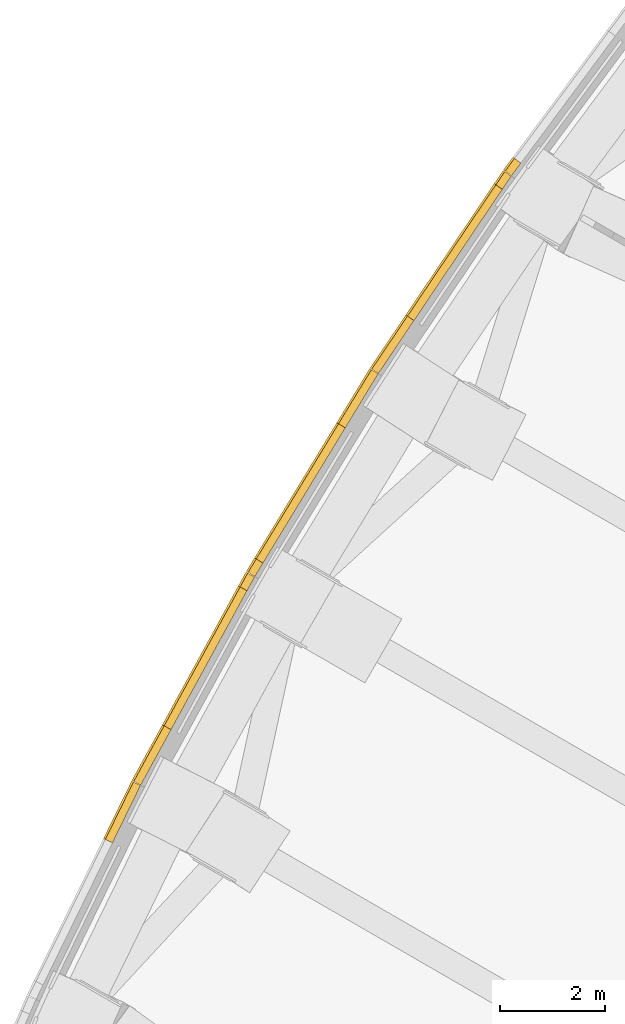
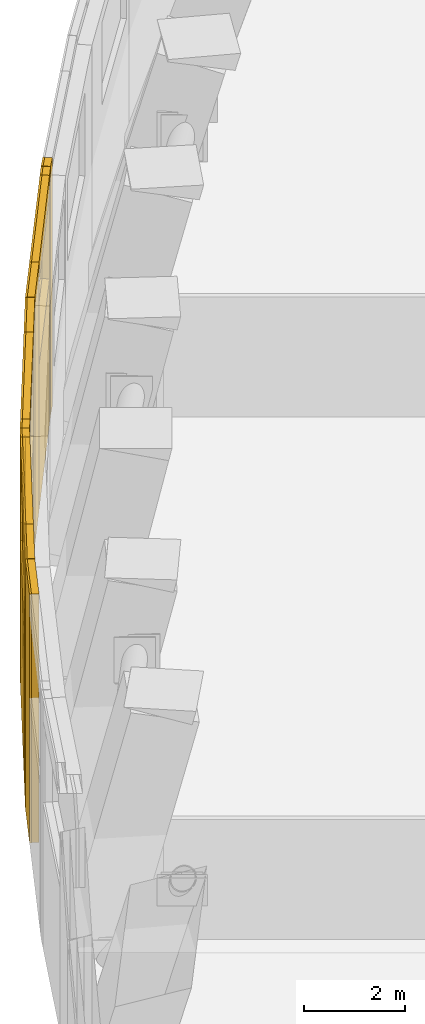
# One storey, part 15 of 22: 28 coverings.
"""IFC4 building model written with IfcOpenShell, lengths in metres."""

from ifc_helpers import new_model, si_unit, direction, frame, origin, origin_2d, place, context, subcontext, project, spatial, rectangle, extrude, material, layer, layer_set, type_object, element, save


model = new_model("IFC4")

# Units and contexts
model_context = context("Model", 3, precision=1e-05, world=origin(), true_north=direction((0.0, 1.0)))
body_context = subcontext(model_context, "Body", "Model", "MODEL_VIEW")
ifc_project = project(units=[si_unit("LENGTHUNIT", "METRE"), si_unit("AREAUNIT", "SQUARE_METRE"), si_unit("VOLUMEUNIT", "CUBIC_METRE"), si_unit("PLANEANGLEUNIT", "RADIAN"), si_unit("MASSUNIT", "GRAM", prefix="KILO")], contexts=[model_context])

# Site, building, storey
site_placement = place(None, origin())
site = spatial("IfcSite", under=ifc_project, at=site_placement, CompositionType="ELEMENT")
building_placement = place(site_placement, origin())
building = spatial("IfcBuilding", under=site, at=building_placement, Name="Trefoil Bronze Tower", CompositionType="ELEMENT")
storey_placement = place(building_placement, frame((0.0, 0.0, 265.300048828125)))
storey = spatial("IfcBuildingStorey", under=building, at=storey_placement, Name="L61", CompositionType="ELEMENT", Elevation=265.300048828125)

# Coverings
ifc_material_1 = material(Name="Bronze-finish aluminium rainscreen panel on aluminium rails", Category="aluminium")
ifc_layer_1 = layer(ifc_material_1, 0.0400390625)
ifc_layer_set_1 = layer_set([ifc_layer_1], Name="Bronze cladding panel 40")
covering_type_1 = type_object("IfcCoveringType", Name="Bronze cladding panel 40", PredefinedType="CLADDING", material=ifc_layer_set_1)
for number, where, z_axis, x_axis, name in (
    (1, (-16.9599609375, 20.398681640625, 0.0), (0.0, 0.0, 1.0), (-0.596161525977, -0.802864518425, 0.0), "Cladding panel L61 Face 3.4 piece 2"),
    (2, (-17.1416015625, 20.1416015625, 0.0), (0.0, 0.0, 1.0), (-0.558493494822, -0.82950890064, 0.0), "Cladding panel L61 Face 3.5 piece 1"),
):
    element("IfcCovering", number, at=place(storey_placement, frame(where, z_axis=z_axis, x_axis=x_axis)), inside=storey, type_object=covering_type_1, Name=name, PredefinedType="CLADDING", context=body_context, shape_type="SweptSolid", body=[
        extrude(rectangle(XDim=0.300048828125, YDim=0.0400390625, at=origin_2d()), origin(), (0.0, 0.0, 1.0), 6.0),
    ])
covering_1_placement = place(storey_placement, frame((-19.239013671875, 17.026611328125, 0.0), z_axis=(0.0, 0.0, 1.0), x_axis=(-0.558493494822, -0.82950890064, 0.0)))
element("IfcCovering", 3, at=covering_1_placement, inside=storey, type_object=covering_type_1, Name="Cladding panel L61 Face 3.5 piece 2", PredefinedType="CLADDING", context=body_context, shape_type="SweptSolid", body=[
    extrude(rectangle(XDim=1.210693359375, YDim=0.0400390625, at=origin_2d()), origin(), (0.0, 0.0, 1.0), 6.0),
])
covering_2_placement = place(storey_placement, frame((-18.063232421875, 18.77294921875, 0.0), z_axis=(0.0, 0.0, 1.0), x_axis=(-0.558493494822, -0.82950890064, 0.0)))
element("IfcCovering", 4, at=covering_2_placement, inside=storey, type_object=covering_type_1, Name="Cladding panel L61 Face 3.5 piece 3", PredefinedType="CLADDING", context=body_context, shape_type="SweptSolid", body=[
    extrude(rectangle(XDim=3.0, YDim=0.0400390625, at=origin_2d()), origin(), (0.0, 0.0, 1.0), 3.5),
])
covering_3_placement = place(storey_placement, frame((-18.063232421875, 18.77294921875, 5.5), z_axis=(0.0, 0.0, 1.0), x_axis=(-0.558493494822, -0.82950890064, 0.0)))
element("IfcCovering", 5, at=covering_3_placement, inside=storey, type_object=covering_type_1, Name="Cladding panel L61 Face 3.5 piece 4", PredefinedType="CLADDING", context=body_context, shape_type="SweptSolid", body=[
    extrude(rectangle(XDim=3.0, YDim=0.0400390625, at=origin_2d()), origin(), (0.0, 0.0, 1.0), 0.5),
])
covering_4_placement = place(storey_placement, frame((-19.897216796875, 15.9990234375, 0.0), z_axis=(0.0, 0.0, 1.0), x_axis=(-0.519762112709, -0.854311035977, 0.0)))
element("IfcCovering", 6, at=covering_4_placement, inside=storey, type_object=covering_type_1, Name="Cladding panel L61 Face 3.6 piece 1", PredefinedType="CLADDING", context=body_context, shape_type="SweptSolid", body=[
    extrude(rectangle(XDim=1.201171875, YDim=0.0400390625, at=origin_2d()), origin(), (0.0, 0.0, 1.0), 6.0),
])
covering_5_placement = place(storey_placement, frame((-21.8466796875, 12.794677734375, 0.0), z_axis=(0.0, 0.0, 1.0), x_axis=(-0.519762112709, -0.854311035977, 0.0)))
element("IfcCovering", 7, at=covering_5_placement, inside=storey, type_object=covering_type_1, Name="Cladding panel L61 Face 3.6 piece 2", PredefinedType="CLADDING", context=body_context, shape_type="SweptSolid", body=[
    extrude(rectangle(XDim=0.300048828125, YDim=0.0400390625, at=origin_2d()), origin(), (0.0, 0.0, 1.0), 6.0),
])
covering_6_placement = place(storey_placement, frame((-20.989013671875, 14.204345703125, 0.0), z_axis=(0.0, 0.0, 1.0), x_axis=(-0.519762112709, -0.854311035977, 0.0)))
element("IfcCovering", 8, at=covering_6_placement, inside=storey, type_object=covering_type_1, Name="Cladding panel L61 Face 3.6 piece 3", PredefinedType="CLADDING", context=body_context, shape_type="SweptSolid", body=[
    extrude(rectangle(XDim=3.0, YDim=0.0400390625, at=origin_2d()), origin(), (0.0, 0.0, 1.0), 3.5),
])
covering_7_placement = place(storey_placement, frame((-20.989013671875, 14.204345703125, 5.5), z_axis=(0.0, 0.0, 1.0), x_axis=(-0.519762112709, -0.854311035977, 0.0)))
element("IfcCovering", 9, at=covering_7_placement, inside=storey, type_object=covering_type_1, Name="Cladding panel L61 Face 3.6 piece 4", PredefinedType="CLADDING", context=body_context, shape_type="SweptSolid", body=[
    extrude(rectangle(XDim=3.0, YDim=0.0400390625, at=origin_2d()), origin(), (0.0, 0.0, 1.0), 0.5),
])
covering_8_placement = place(storey_placement, frame((-22.00390625, 12.522216796875, 0.0), z_axis=(0.0, 0.0, 1.0), x_axis=(-0.479974003443, -0.87728271157, 0.0)))
element("IfcCovering", 10, at=covering_8_placement, inside=storey, type_object=covering_type_1, Name="Cladding panel L61 Face 3.7 piece 1", PredefinedType="CLADDING", context=body_context, shape_type="SweptSolid", body=[
    extrude(rectangle(XDim=0.300048828125, YDim=0.0400390625, at=origin_2d()), origin(), (0.0, 0.0, 1.0), 6.0),
])
covering_9_placement = place(storey_placement, frame((-23.80419921875, 9.23193359375, 0.0), z_axis=(0.0, 0.0, 1.0), x_axis=(-0.479974003443, -0.87728271157, 0.0)))
element("IfcCovering", 11, at=covering_9_placement, inside=storey, type_object=covering_type_1, Name="Cladding panel L61 Face 3.7 piece 2", PredefinedType="CLADDING", context=body_context, shape_type="SweptSolid", body=[
    extrude(rectangle(XDim=1.201171875, YDim=0.0400390625, at=origin_2d()), origin(), (0.0, 0.0, 1.0), 6.0),
])
covering_10_placement = place(storey_placement, frame((-22.7958984375, 11.07470703125, 0.0), z_axis=(0.0, 0.0, 1.0), x_axis=(-0.479974003443, -0.87728271157, 0.0)))
element("IfcCovering", 12, at=covering_10_placement, inside=storey, type_object=covering_type_1, Name="Cladding panel L61 Face 3.7 piece 3", PredefinedType="CLADDING", context=body_context, shape_type="SweptSolid", body=[
    extrude(rectangle(XDim=3.0, YDim=0.0400390625, at=origin_2d()), origin(), (0.0, 0.0, 1.0), 3.5),
])
covering_11_placement = place(storey_placement, frame((-22.7958984375, 11.07470703125, 5.5), z_axis=(0.0, 0.0, 1.0), x_axis=(-0.479974003443, -0.87728271157, 0.0)))
element("IfcCovering", 13, at=covering_11_placement, inside=storey, type_object=covering_type_1, Name="Cladding panel L61 Face 3.7 piece 4", PredefinedType="CLADDING", context=body_context, shape_type="SweptSolid", body=[
    extrude(rectangle(XDim=3.0, YDim=0.0400390625, at=origin_2d()), origin(), (0.0, 0.0, 1.0), 0.5),
])
covering_12_placement = place(storey_placement, frame((-24.364990234375, 8.148193359375, 0.0), z_axis=(0.0, 0.0, 1.0), x_axis=(-0.439129033303, -0.898424004638, 0.0)))
element("IfcCovering", 14, at=covering_12_placement, inside=storey, type_object=covering_type_1, Name="Cladding panel L61 Face 3.8 piece 1", PredefinedType="CLADDING", context=body_context, shape_type="SweptSolid", body=[
    extrude(rectangle(XDim=1.210693359375, YDim=0.0400390625, at=origin_2d()), origin(), (0.0, 0.0, 1.0), 6.0),
])
ifc_material_2 = material(Name="Non-combustible mineral wool slab", Category="insulation")
ifc_layer_2 = layer(ifc_material_2, 0.14990234375)
ifc_layer_set_2 = layer_set([ifc_layer_2], Name="Rainscreen insulation 150")
covering_type_2 = type_object("IfcCoveringType", Name="Rainscreen insulation 150", PredefinedType="INSULATION", material=ifc_layer_set_2)
for number, where, z_axis, x_axis, name in (
    (15, (-16.883544921875, 20.342041015625, 0.0), (0.0, 0.0, 1.0), (-0.596161525977, -0.802864518425, 0.0), "Insulation L61 Face 3.4 piece 2"),
    (16, (-17.062744140625, 20.088623046875, 0.0), (0.0, 0.0, 1.0), (-0.558493494822, -0.82950890064, 0.0), "Insulation L61 Face 3.5 piece 1"),
):
    element("IfcCovering", number, at=place(storey_placement, frame(where, z_axis=z_axis, x_axis=x_axis)), inside=storey, type_object=covering_type_2, Name=name, PredefinedType="INSULATION", context=body_context, shape_type="SweptSolid", body=[
        extrude(rectangle(XDim=0.300048828125, YDim=0.14990234375, at=origin_2d()), origin(), (0.0, 0.0, 1.0), 6.0),
    ])
covering_13_placement = place(storey_placement, frame((-19.16015625, 16.9736328125, 0.0), z_axis=(0.0, 0.0, 1.0), x_axis=(-0.558493494822, -0.82950890064, 0.0)))
element("IfcCovering", 17, at=covering_13_placement, inside=storey, type_object=covering_type_2, Name="Insulation L61 Face 3.5 piece 2", PredefinedType="INSULATION", context=body_context, shape_type="SweptSolid", body=[
    extrude(rectangle(XDim=1.210693359375, YDim=0.14990234375, at=origin_2d()), origin(), (0.0, 0.0, 1.0), 6.0),
])
covering_14_placement = place(storey_placement, frame((-17.984375, 18.719970703125, 0.0), z_axis=(0.0, 0.0, 1.0), x_axis=(-0.558493494822, -0.82950890064, 0.0)))
element("IfcCovering", 18, at=covering_14_placement, inside=storey, type_object=covering_type_2, Name="Insulation L61 Face 3.5 piece 3", PredefinedType="INSULATION", context=body_context, shape_type="SweptSolid", body=[
    extrude(rectangle(XDim=3.0, YDim=0.14990234375, at=origin_2d()), origin(), (0.0, 0.0, 1.0), 3.5),
])
covering_15_placement = place(storey_placement, frame((-17.984375, 18.719970703125, 5.5), z_axis=(0.0, 0.0, 1.0), x_axis=(-0.558493494822, -0.82950890064, 0.0)))
element("IfcCovering", 19, at=covering_15_placement, inside=storey, type_object=covering_type_2, Name="Insulation L61 Face 3.5 piece 4", PredefinedType="INSULATION", context=body_context, shape_type="SweptSolid", body=[
    extrude(rectangle(XDim=3.0, YDim=0.14990234375, at=origin_2d()), origin(), (0.0, 0.0, 1.0), 0.5),
])
covering_16_placement = place(storey_placement, frame((-19.81591796875, 15.949462890625, 0.0), z_axis=(0.0, 0.0, 1.0), x_axis=(-0.519762112709, -0.854311035977, 0.0)))
element("IfcCovering", 20, at=covering_16_placement, inside=storey, type_object=covering_type_2, Name="Insulation L61 Face 3.6 piece 1", PredefinedType="INSULATION", context=body_context, shape_type="SweptSolid", body=[
    extrude(rectangle(XDim=1.201171875, YDim=0.14990234375, at=origin_2d()), origin(), (0.0, 0.0, 1.0), 6.0),
])
covering_17_placement = place(storey_placement, frame((-21.765380859375, 12.745361328125, 0.0), z_axis=(0.0, 0.0, 1.0), x_axis=(-0.519762112709, -0.854311035977, 0.0)))
element("IfcCovering", 21, at=covering_17_placement, inside=storey, type_object=covering_type_2, Name="Insulation L61 Face 3.6 piece 2", PredefinedType="INSULATION", context=body_context, shape_type="SweptSolid", body=[
    extrude(rectangle(XDim=0.300048828125, YDim=0.14990234375, at=origin_2d()), origin(), (0.0, 0.0, 1.0), 6.0),
])
covering_18_placement = place(storey_placement, frame((-20.90771484375, 14.155029296875, 0.0), z_axis=(0.0, 0.0, 1.0), x_axis=(-0.519762112709, -0.854311035977, 0.0)))
element("IfcCovering", 22, at=covering_18_placement, inside=storey, type_object=covering_type_2, Name="Insulation L61 Face 3.6 piece 3", PredefinedType="INSULATION", context=body_context, shape_type="SweptSolid", body=[
    extrude(rectangle(XDim=3.0, YDim=0.14990234375, at=origin_2d()), origin(), (0.0, 0.0, 1.0), 3.5),
])
covering_19_placement = place(storey_placement, frame((-20.90771484375, 14.155029296875, 5.5), z_axis=(0.0, 0.0, 1.0), x_axis=(-0.519762112709, -0.854311035977, 0.0)))
element("IfcCovering", 23, at=covering_19_placement, inside=storey, type_object=covering_type_2, Name="Insulation L61 Face 3.6 piece 4", PredefinedType="INSULATION", context=body_context, shape_type="SweptSolid", body=[
    extrude(rectangle(XDim=3.0, YDim=0.14990234375, at=origin_2d()), origin(), (0.0, 0.0, 1.0), 0.5),
])
covering_20_placement = place(storey_placement, frame((-21.920654296875, 12.476806640625, 0.0), z_axis=(0.0, 0.0, 1.0), x_axis=(-0.479974003443, -0.87728271157, 0.0)))
element("IfcCovering", 24, at=covering_20_placement, inside=storey, type_object=covering_type_2, Name="Insulation L61 Face 3.7 piece 1", PredefinedType="INSULATION", context=body_context, shape_type="SweptSolid", body=[
    extrude(rectangle(XDim=0.300048828125, YDim=0.14990234375, at=origin_2d()), origin(), (0.0, 0.0, 1.0), 6.0),
])
covering_21_placement = place(storey_placement, frame((-23.720703125, 9.186279296875, 0.0), z_axis=(0.0, 0.0, 1.0), x_axis=(-0.479974003443, -0.87728271157, 0.0)))
element("IfcCovering", 25, at=covering_21_placement, inside=storey, type_object=covering_type_2, Name="Insulation L61 Face 3.7 piece 2", PredefinedType="INSULATION", context=body_context, shape_type="SweptSolid", body=[
    extrude(rectangle(XDim=1.201171875, YDim=0.14990234375, at=origin_2d()), origin(), (0.0, 0.0, 1.0), 6.0),
])
covering_22_placement = place(storey_placement, frame((-22.712646484375, 11.029296875, 0.0), z_axis=(0.0, 0.0, 1.0), x_axis=(-0.479974003443, -0.87728271157, 0.0)))
element("IfcCovering", 26, at=covering_22_placement, inside=storey, type_object=covering_type_2, Name="Insulation L61 Face 3.7 piece 3", PredefinedType="INSULATION", context=body_context, shape_type="SweptSolid", body=[
    extrude(rectangle(XDim=3.0, YDim=0.14990234375, at=origin_2d()), origin(), (0.0, 0.0, 1.0), 3.5),
])
covering_23_placement = place(storey_placement, frame((-22.712646484375, 11.029296875, 5.5), z_axis=(0.0, 0.0, 1.0), x_axis=(-0.479974003443, -0.87728271157, 0.0)))
element("IfcCovering", 27, at=covering_23_placement, inside=storey, type_object=covering_type_2, Name="Insulation L61 Face 3.7 piece 4", PredefinedType="INSULATION", context=body_context, shape_type="SweptSolid", body=[
    extrude(rectangle(XDim=3.0, YDim=0.14990234375, at=origin_2d()), origin(), (0.0, 0.0, 1.0), 0.5),
])
covering_24_placement = place(storey_placement, frame((-24.279541015625, 8.1064453125, 0.0), z_axis=(0.0, 0.0, 1.0), x_axis=(-0.439129033303, -0.898424004638, 0.0)))
element("IfcCovering", 28, at=covering_24_placement, inside=storey, type_object=covering_type_2, Name="Insulation L61 Face 3.8 piece 1", PredefinedType="INSULATION", context=body_context, shape_type="SweptSolid", body=[
    extrude(rectangle(XDim=1.210693359375, YDim=0.14990234375, at=origin_2d()), origin(), (0.0, 0.0, 1.0), 6.0),
])

save(model, "model.ifc")
